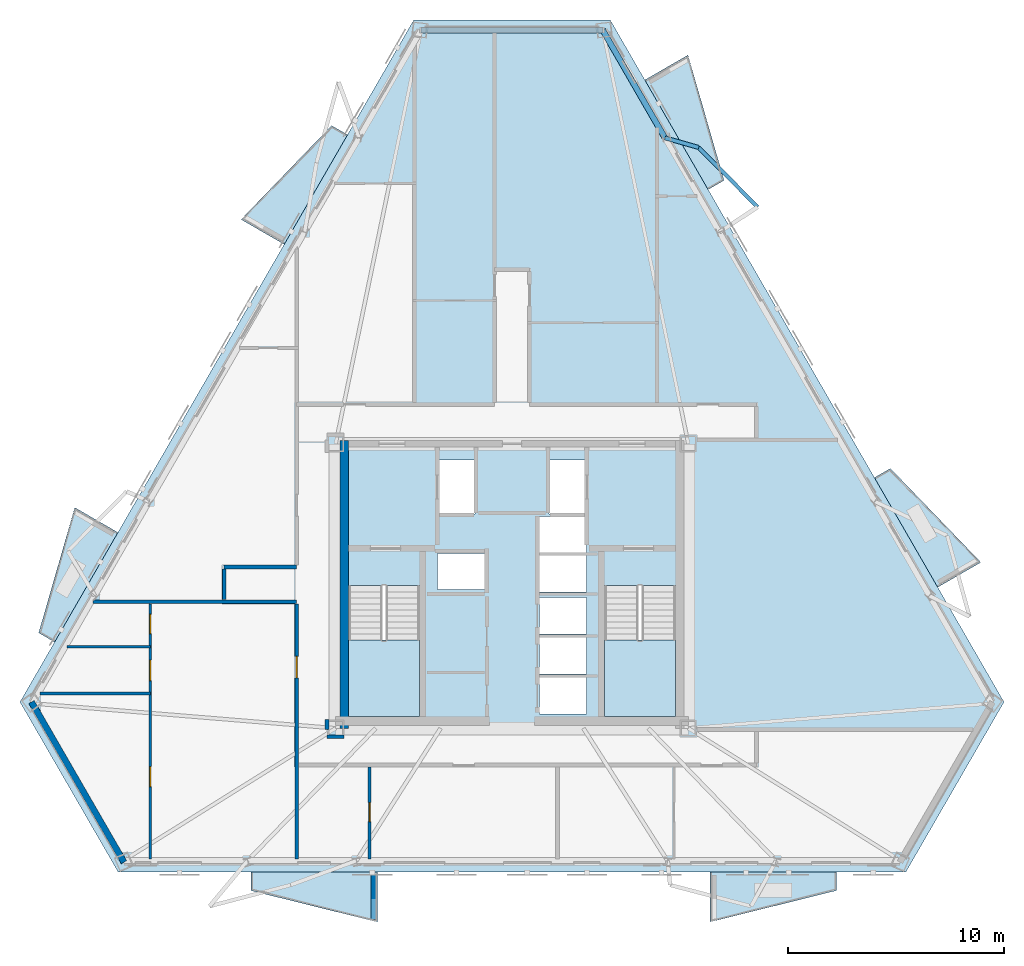
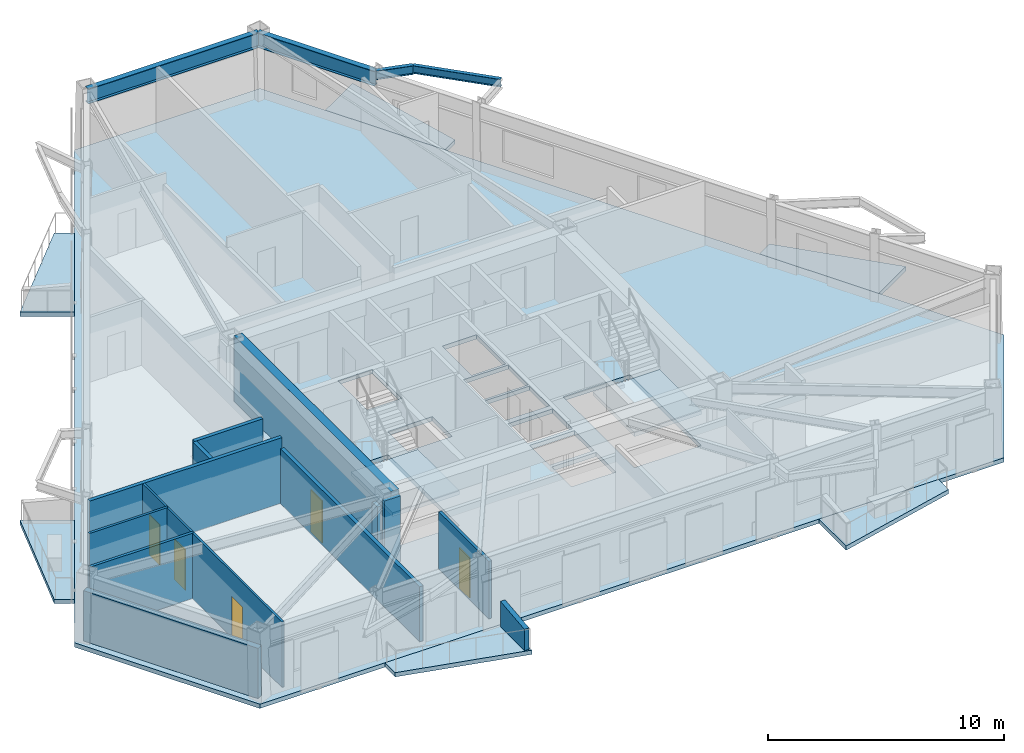
# One storey, part 2 of 8: 13 walls, 9 slabs, 5 doors, 4 beams, 5 openings, 2 elements without a shape of their own.
"""IFC4 building model written with IfcOpenShell, lengths in metres."""

from ifc_helpers import new_model, si_unit, direction, frame, frame_2d, origin, origin_2d, place, context, subcontext, project, spatial, polyline, rectangle, i_section, outline, extrude, material, layer, layer_set, material_profile, profile_set, type_object, element, fill, aggregate, save


model = new_model("IFC4")

# Units and contexts
model_context = context("Model", 3, precision=1e-05, world=origin(), true_north=direction((0.0, 1.0)))
body_context = subcontext(model_context, "Body", "Model", "MODEL_VIEW")
ifc_project = project(units=[si_unit("LENGTHUNIT", "METRE"), si_unit("AREAUNIT", "SQUARE_METRE"), si_unit("VOLUMEUNIT", "CUBIC_METRE"), si_unit("PLANEANGLEUNIT", "RADIAN"), si_unit("MASSUNIT", "GRAM", prefix="KILO")], contexts=[model_context])

# Site, building, storey
site_placement = place(None, origin())
site = spatial("IfcSite", under=ifc_project, at=site_placement, CompositionType="ELEMENT")
building_placement = place(site_placement, origin())
building = spatial("IfcBuilding", under=site, at=building_placement, Name="Oramaril Tower", CompositionType="ELEMENT")
storey_placement = place(building_placement, frame((0.0, 0.0, 171.0)))
storey = spatial("IfcBuildingStorey", under=building, at=storey_placement, Name="L45", CompositionType="ELEMENT", Elevation=171.0)

# Beams
ifc_material_1 = material(Name="Steel ASTM A572 Gr 50", Category="steel")
ifc_material_profile_1 = material_profile(ifc_material_1, i_section(OverallWidth=0.19091796875, OverallDepth=0.45703125, WebThickness=0.009033203125, FlangeThickness=0.014404296875, at=origin_2d()), Name="W18X50")
ifc_profile_set_1 = profile_set([ifc_material_profile_1], Name="Steel ASTM A572 Gr 50")
beam_type_1 = type_object("IfcBeamType", Name="BT-BB1", PredefinedType="BEAM", material=ifc_profile_set_1)
beam_1_placement = place(storey_placement, frame((44.5693359375, 38.287353515625, 3.151611328125), z_axis=(0.961813316256, -0.273706310985, 0.0), x_axis=(0.273706310985, 0.961813316256, 0.0)))
element("IfcBeam", 1, at=beam_1_placement, inside=storey, type_object=beam_type_1, Name="L45 Balcony Column-Framed Cantilever 04.2", PredefinedType="BEAM", context=body_context, shape_type="SweptSolid", body=[
    extrude(i_section(OverallWidth=0.19091796875, OverallDepth=0.45703125, WebThickness=0.009033203125, FlangeThickness=0.014404296875, at=origin_2d()), origin(), (0.0, 0.0, 1.0), 1.620849609375),
])
ifc_material_2 = material(Name="Steel ASTM A572 Gr 50", Category="steel")
ifc_material_profile_2 = material_profile(ifc_material_2, i_section(OverallWidth=0.177978515625, OverallDepth=0.404052734375, WebThickness=0.007568359375, FlangeThickness=0.010986328125, at=origin_2d()), Name="W16X36")
ifc_profile_set_2 = profile_set([ifc_material_profile_2], Name="Steel ASTM A572 Gr 50")
beam_type_2 = type_object("IfcBeamType", Name="BT-SB1", PredefinedType="BEAM", material=ifc_profile_set_2)
beam_2_placement = place(storey_placement, frame((48.848876953125, 35.09130859375, 3.177978515625), z_axis=(-0.702994511648, 0.71119527318, 0.0), x_axis=(-0.71119527318, -0.702994511648, 0.0)))
element("IfcBeam", 2, at=beam_2_placement, inside=storey, type_object=beam_type_2, Name="L45 Balcony Edge Tie Beam 04", PredefinedType="BEAM", context=body_context, shape_type="SweptSolid", body=[
    extrude(i_section(OverallWidth=0.177978515625, OverallDepth=0.404052734375, WebThickness=0.007568359375, FlangeThickness=0.010986328125, at=origin_2d()), origin(), (0.0, 0.0, 1.0), 3.8701171875),
])
ifc_material_3 = material(Name="Steel ASTM A572 Gr 50", Category="steel")
ifc_material_profile_3 = material_profile(ifc_material_3, i_section(OverallWidth=0.26708984375, OverallDepth=0.77001953125, WebThickness=0.015625, FlangeThickness=0.025390625, at=origin_2d()), Name="W30X132")
ifc_profile_set_3 = profile_set([ifc_material_profile_3], Name="Steel ASTM A572 Gr 50")
beam_type_3 = type_object("IfcBeamType", Name="BT-SP3", PredefinedType="SPANDREL", material=ifc_profile_set_3)
beam_3_placement = place(storey_placement, frame((44.5693359375, 38.287353515625, 2.9951171875), z_axis=(-0.499971205421, 0.866042027704, 0.0), x_axis=(-0.866042027704, -0.499971205421, 0.0)))
element("IfcBeam", 3, at=beam_3_placement, inside=storey, type_object=beam_type_3, Name="L45 Perimeter Spandrel 12", PredefinedType="SPANDREL", context=body_context, shape_type="SweptSolid", body=[
    extrude(i_section(OverallWidth=0.26708984375, OverallDepth=0.77001953125, WebThickness=0.015625, FlangeThickness=0.025390625, at=origin_2d()), origin(), (0.0, 0.0, 1.0), 5.748779296875),
])
beam_4_placement = place(storey_placement, frame((41.695068359375, 43.26611328125, 2.9951171875), z_axis=(-1.0, 0.0, 0.0), x_axis=(0.0, -1.0, 0.0)))
element("IfcBeam", 4, at=beam_4_placement, inside=storey, type_object=beam_type_3, Name="L45 Perimeter Spandrel 13", PredefinedType="SPANDREL", context=body_context, shape_type="SweptSolid", body=[
    extrude(i_section(OverallWidth=0.26708984375, OverallDepth=0.77001953125, WebThickness=0.015625, FlangeThickness=0.025390625, at=origin_2d()), origin(), (0.0, 0.0, 1.0), 8.39013671875),
])

# Slabs
ifc_material_4 = material(Name="Concrete C40/50", Category="concrete")
ifc_layer_1 = layer(ifc_material_4, 0.199951171875)
ifc_layer_set_1 = layer_set([ifc_layer_1], Name="SLT-BAL20")
slab_type_1 = type_object("IfcSlabType", Name="SLT-BAL20", PredefinedType="FLOOR", material=ifc_layer_set_1)
slab_1_placement = place(storey_placement, frame((0.0, 0.0, -0.219970703125)))
element("IfcSlab", 5, at=slab_1_placement, inside=storey, type_object=slab_type_1, Name="L45 Cantilevered Balcony Slab L45-BAL-S1", PredefinedType="FLOOR", context=body_context, shape_type="SweptSolid", body=[
    extrude(outline(polyline([(25.42626953125, 4.3525390625), (31.276123046875, 4.3525390625), (31.276123046875, 2.050537109375), (25.42626953125, 3.50048828125), (25.42626953125, 4.3525390625)])), origin(), (0.0, 0.0, 1.0), 0.219970703125),
])
slab_2_placement = place(storey_placement, frame((0.0, 0.0, -0.219970703125)))
element("IfcSlab", 6, at=slab_2_placement, inside=storey, type_object=slab_type_1, Name="L45 Cantilevered Balcony Slab L45-BAL-NE2", PredefinedType="FLOOR", context=body_context, shape_type="SweptSolid", body=[
    extrude(outline(polyline([(46.563232421875, 35.896728515625), (43.63818359375, 40.962890625), (45.6318359375, 42.114013671875), (47.301025390625, 36.32275390625), (46.563232421875, 35.896728515625)])), origin(), (0.0, 0.0, 1.0), 0.219970703125),
])
slab_3_placement = place(storey_placement, frame((0.0, 0.0, -0.219970703125)))
element("IfcSlab", 7, at=slab_3_placement, inside=storey, type_object=slab_type_1, Name="L45 Cantilevered Balcony Slab L45-BAL-NW1", PredefinedType="FLOOR", context=body_context, shape_type="SweptSolid", body=[
    extrude(outline(polyline([(29.899169921875, 38.429931640625), (26.97412109375, 33.363525390625), (24.980712890625, 34.5146484375), (29.161376953125, 38.85595703125), (29.899169921875, 38.429931640625)])), origin(), (0.0, 0.0, 1.0), 0.219970703125),
])
ifc_material_5 = material(Name="Concrete C50/60", Category="concrete")
ifc_layer_2 = layer(ifc_material_5, 0.219970703125)
ifc_layer_set_2 = layer_set([ifc_layer_2], Name="SLT-FLR22")
slab_type_2 = type_object("IfcSlabType", Name="SLT-FLR22", PredefinedType="FLOOR", material=ifc_layer_set_2)
slab_4_placement = place(storey_placement, frame((0.0, 0.0, -0.219970703125)))
element("IfcSlab", 8, at=slab_4_placement, inside=storey, type_object=slab_type_2, Name="L45 Structural Floor Slab", PredefinedType="FLOOR", context=body_context, shape_type="SweptSolid", body=[
    extrude(outline(polyline([(14.76123046875, 12.214111328125), (19.30126953125, 4.3505859375), (55.69873046875, 4.3505859375), (60.23876953125, 12.214111328125), (42.0400390625, 43.7353515625), (32.9599609375, 43.7353515625), (14.76123046875, 12.214111328125)]), holes=[polyline([(29.949951171875, 17.58935546875), (29.949951171875, 11.550048828125), (33.219970703125, 11.550048828125), (33.219970703125, 17.58935546875), (29.949951171875, 17.58935546875)]), polyline([(41.780029296875, 17.58935546875), (41.780029296875, 11.550048828125), (45.050048828125, 11.550048828125), (45.050048828125, 17.58935546875), (41.780029296875, 17.58935546875)]), polyline([(34.110107421875, 20.909912109375), (35.7900390625, 20.909912109375), (35.7900390625, 23.389892578125), (34.110107421875, 23.389892578125), (34.110107421875, 20.909912109375)]), polyline([(39.2099609375, 20.909912109375), (40.889892578125, 20.909912109375), (40.889892578125, 23.389892578125), (39.2099609375, 23.389892578125), (39.2099609375, 20.909912109375)]), polyline([(38.760009765625, 11.659912109375), (40.93994140625, 11.659912109375), (40.93994140625, 13.340087890625), (38.760009765625, 13.340087890625), (38.760009765625, 11.659912109375)]), polyline([(38.760009765625, 13.510009765625), (40.93994140625, 13.510009765625), (40.93994140625, 15.18994140625), (38.760009765625, 15.18994140625), (38.760009765625, 13.510009765625)]), polyline([(38.760009765625, 15.360107421875), (40.93994140625, 15.360107421875), (40.93994140625, 17.0400390625), (38.760009765625, 17.0400390625), (38.760009765625, 15.360107421875)]), polyline([(34.06005859375, 17.409912109375), (36.239990234375, 17.409912109375), (36.239990234375, 19.090087890625), (34.06005859375, 19.090087890625), (34.06005859375, 17.409912109375)]), polyline([(38.760009765625, 17.31005859375), (40.93994140625, 17.31005859375), (40.93994140625, 18.989990234375), (38.760009765625, 18.989990234375), (38.760009765625, 17.31005859375)]), polyline([(38.760009765625, 19.110107421875), (40.93994140625, 19.110107421875), (40.93994140625, 20.7900390625), (38.760009765625, 20.7900390625), (38.760009765625, 19.110107421875)])]), origin(), (0.0, 0.0, 1.0), 0.219970703125),
])

# Stair, slab
ifc_material_6 = material(Name="Concrete C50/60", Category="concrete")
stair_type = type_object("IfcStairType", Name="STT-DG-3600", PredefinedType="HALF_TURN_STAIR", material=ifc_material_6)
stair_1_placement = place(storey_placement, origin())
stair_1 = element("IfcStair", 9, at=stair_1_placement, inside=storey, type_object=stair_type, Name="L45 Protected PFP Exit Stair ST-1", PredefinedType="HALF_TURN_STAIR")
ifc_material_7 = material(Name="Concrete C50/60", Category="concrete")
ifc_layer_3 = layer(ifc_material_7, 0.199951171875)
ifc_layer_set_3 = layer_set([ifc_layer_3], Name="SLT-LND20")
slab_type_3 = type_object("IfcSlabType", Name="SLT-LND20", PredefinedType="LANDING", material=ifc_layer_set_3)
slab_5_placement = place(storey_placement, frame((0.0, 0.0, 1.60009765625)))
slab_5 = element("IfcSlab", 10, at=slab_5_placement, type_object=slab_type_3, Name="ST-1 landing 1", PredefinedType="LANDING", context=body_context, shape_type="SweptSolid", body=[
    extrude(outline(polyline([(29.949951171875, 15.070068359375), (29.949951171875, 11.550048828125), (33.219970703125, 11.550048828125), (33.219970703125, 15.070068359375), (29.949951171875, 15.070068359375)])), origin(), (0.0, 0.0, 1.0), 0.199951171875),
])
aggregate(stair_1, [slab_5])

stair_2_placement = place(storey_placement, origin())
stair_2 = element("IfcStair", 11, at=stair_2_placement, inside=storey, type_object=stair_type, Name="L45 Protected PFP Exit Stair ST-2", PredefinedType="HALF_TURN_STAIR")
slab_6_placement = place(storey_placement, frame((0.0, 0.0, 1.60009765625)))
slab_6 = element("IfcSlab", 12, at=slab_6_placement, type_object=slab_type_3, Name="ST-2 landing 1", PredefinedType="LANDING", context=body_context, shape_type="SweptSolid", body=[
    extrude(outline(polyline([(41.780029296875, 15.070068359375), (41.780029296875, 11.550048828125), (45.050048828125, 11.550048828125), (45.050048828125, 15.070068359375), (41.780029296875, 15.070068359375)])), origin(), (0.0, 0.0, 1.0), 0.199951171875),
])
aggregate(stair_2, [slab_6])

# Slabs
ifc_material_8 = material(Name="Concrete C40/50", Category="concrete")
ifc_layer_4 = layer(ifc_material_8, 0.18994140625)
ifc_layer_set_4 = layer_set([ifc_layer_4], Name="SLT-PLN19")
slab_type_4 = type_object("IfcSlabType", Name="SLT-PLN19", PredefinedType="FLOOR", material=ifc_layer_set_4)
slab_7_placement = place(storey_placement, frame((0.0, 0.0, -0.219970703125)))
element("IfcSlab", 13, at=slab_7_placement, inside=storey, type_object=slab_type_4, Name="L45 Tree Planter Balcony Slab L45-BAL-S2", PredefinedType="FLOOR", context=body_context, shape_type="SweptSolid", body=[
    extrude(outline(polyline([(46.648681640625, 4.3525390625), (52.498779296875, 4.3525390625), (52.498779296875, 3.50048828125), (46.648681640625, 2.050537109375), (46.648681640625, 4.3525390625)])), origin(), (0.0, 0.0, 1.0), 0.219970703125),
])
slab_8_placement = place(storey_placement, frame((0.0, 0.0, -0.219970703125)))
element("IfcSlab", 14, at=slab_8_placement, inside=storey, type_object=slab_type_4, Name="L45 Tree Planter Balcony Slab L45-BAL-NE1", PredefinedType="FLOOR", context=body_context, shape_type="SweptSolid", body=[
    extrude(outline(polyline([(57.174560546875, 17.517578125), (54.24951171875, 22.583740234375), (54.9873046875, 23.009765625), (59.168212890625, 18.66845703125), (57.174560546875, 17.517578125)])), origin(), (0.0, 0.0, 1.0), 0.219970703125),
])
slab_9_placement = place(storey_placement, frame((0.0, 0.0, -0.219970703125)))
element("IfcSlab", 15, at=slab_9_placement, inside=storey, type_object=slab_type_4, Name="L45 Tree Planter Balcony Slab L45-BAL-NW2", PredefinedType="FLOOR", context=body_context, shape_type="SweptSolid", body=[
    extrude(outline(polyline([(19.287841796875, 20.050537109375), (16.36279296875, 14.984375), (15.625, 15.410400390625), (17.294189453125, 21.20166015625), (19.287841796875, 20.050537109375)])), origin(), (0.0, 0.0, 1.0), 0.219970703125),
])

# Walls
ifc_material_9 = material(Name="Warm Cream Limestone", Category="masonry")
ifc_layer_5 = layer(ifc_material_9, 0.2900390625)
ifc_layer_set_5 = layer_set([ifc_layer_5], Name="WT-EXT29")
wall_type_1 = type_object("IfcWallType", Name="WT-EXT29", PredefinedType="SOLIDWALL", material=ifc_layer_set_5)
wall_1_placement = place(storey_placement, frame((15.29248046875, 12.214111328125, 0.0), z_axis=(0.0, 0.0, 1.0), x_axis=(0.499996853316, -0.866027220516, 0.0)))
element("IfcWall", 16, at=wall_1_placement, inside=storey, type_object=wall_type_1, Name="L45 Tower Limestone Facade Wall 1M", PredefinedType="SOLIDWALL", context=body_context, shape_type="SweptSolid", body=[
    extrude(rectangle(XDim=8.548828125, YDim=0.2900390625, at=frame_2d((4.2744140625, 0.0))), origin(), (0.0, 0.0, 1.0), 2.60009765625),
])
ifc_material_10 = material(Name="Concrete C40/50", Category="concrete")
ifc_layer_6 = layer(ifc_material_10, 0.22998046875)
ifc_layer_set_6 = layer_set([ifc_layer_6], Name="WT-PRP23")
wall_type_2 = type_object("IfcWallType", Name="WT-PRP23", PredefinedType="PARAPET", material=ifc_layer_set_6)
wall_2_placement = place(storey_placement, frame((31.09619140625, 4.212646484375, 0.0), z_axis=(0.0, 0.0, 1.0), x_axis=(0.0, -1.0, 0.0)))
element("IfcWall", 17, at=wall_2_placement, inside=storey, type_object=wall_type_2, Name="L45 Trapezoidal Balcony Frame Cheek L45-BAL-S1-R", PredefinedType="PARAPET", context=body_context, shape_type="SweptSolid", body=[
    extrude(outline(polyline([(0.0, 0.0), (2.0419921875, 0.0), (2.0419921875, 1.10009765625), (0.0, 1.320068359375), (0.0, 0.0)])), frame((0.0, 0.114990234375, 0.0), z_axis=(0.0, -1.0, 0.0), x_axis=(1.0, 0.0, 0.0)), (0.0, 0.0, 1.0), 0.22998046875),
])

# Wall, openings, doors
ifc_material_11 = material(Name="Acoustic Gypsum Board Partition")
ifc_layer_7 = layer(ifc_material_11, 0.10009765625)
ifc_layer_set_7 = layer_set([ifc_layer_7], Name="WT-PT10")
wall_type_3 = type_object("IfcWallType", Name="WT-PT10", PredefinedType="PARTITIONING", material=ifc_layer_set_7)
wall_3_placement = place(storey_placement, frame((20.780029296875, 4.959716796875, 0.0), z_axis=(0.0, 0.0, 1.0), x_axis=(0.0, 1.0, 0.0)))
wall_3 = element("IfcWall", 18, at=wall_3_placement, inside=storey, type_object=wall_type_3, Name="L45 Interior Partition PT-10", PredefinedType="PARTITIONING", context=body_context, shape_type="SweptSolid", body=[
    extrude(rectangle(XDim=11.79638671875, YDim=0.10009765625, at=frame_2d((5.898193359375, 0.0))), origin(), (0.0, 0.0, 1.0), 3.3798828125),
])
opening_1_placement = place(wall_3_placement, frame((3.344482421875, 0.0, 0.0)))
opening_1 = element("IfcOpeningElement", 19, at=opening_1_placement, cuts=wall_3, Name="Opening D-L45-10", PredefinedType="OPENING", context=body_context, shape_type="SweptSolid", body=[
    extrude(rectangle(XDim=0.919921875, YDim=2.1201171875, at=frame_2d((0.4599609375, 1.06005859375))), frame((0.0, 0.050048828125, 0.0), z_axis=(0.0, -1.0, 0.0), x_axis=(1.0, 0.0, 0.0)), (0.0, 0.0, 1.0), 0.10009765625),
])
opening_2_placement = place(wall_3_placement, frame((8.244140625, 0.0, 0.0)))
opening_2 = element("IfcOpeningElement", 20, at=opening_2_placement, cuts=wall_3, Name="Opening D-L45-11", PredefinedType="OPENING", context=body_context, shape_type="SweptSolid", body=[
    extrude(rectangle(XDim=0.949951171875, YDim=2.10009765625, at=frame_2d((0.47509765625, 1.050048828125))), frame((0.0, 0.050048828125, 0.0), z_axis=(0.0, -1.0, 0.0), x_axis=(1.0, 0.0, 0.0)), (0.0, 0.0, 1.0), 0.10009765625),
])
opening_3_placement = place(wall_3_placement, frame((10.42041015625, 0.0, 0.0)))
opening_3 = element("IfcOpeningElement", 21, at=opening_3_placement, cuts=wall_3, Name="Opening D-L45-12", PredefinedType="OPENING", context=body_context, shape_type="SweptSolid", body=[
    extrude(rectangle(XDim=0.8798828125, YDim=2.080078125, at=frame_2d((0.43994140625, 1.0400390625))), frame((0.0, 0.050048828125, 0.0), z_axis=(0.0, -1.0, 0.0), x_axis=(1.0, 0.0, 0.0)), (0.0, 0.0, 1.0), 0.10009765625),
])
ifc_material_12 = material(Name="FSC Brazilian Freijo Hardwood", Category="wood")
door_type_1 = type_object("IfcDoorType", Name="DT-BATH", OperationType="NOTDEFINED", PredefinedType="DOOR", material=ifc_material_12)
door_1_placement = place(opening_3_placement, origin())
door_1 = element("IfcDoor", 22, at=door_1_placement, inside=storey, type_object=door_type_1, Name="L45 Flat L45-U3 Bathroom Door D-L45-12", OperationType="SINGLE_SWING_LEFT", OverallHeight=2.080078125, OverallWidth=0.8798828125, PredefinedType="DOOR", context=body_context, shape_type="SweptSolid", body=[
    extrude(rectangle(XDim=0.8798828125, YDim=2.080078125, at=frame_2d((0.43994140625, 1.0400390625))), frame((0.0, 0.02490234375, 0.0), z_axis=(0.0, -1.0, 0.0), x_axis=(1.0, 0.0, 0.0)), (0.0, 0.0, 1.0), 0.050048828125),
])
fill(opening_3, door_1)
ifc_material_13 = material(Name="FSC Brazilian Freijo Hardwood", Category="wood")
door_type_2 = type_object("IfcDoorType", Name="DT-BED", OperationType="NOTDEFINED", PredefinedType="DOOR", material=ifc_material_13)
door_2_placement = place(opening_1_placement, origin())
door_2 = element("IfcDoor", 23, at=door_2_placement, inside=storey, type_object=door_type_2, Name="L45 Flat L45-U3 Master Bedroom Door D-L45-10", OperationType="SINGLE_SWING_LEFT", OverallHeight=2.1201171875, OverallWidth=0.919921875, PredefinedType="DOOR", context=body_context, shape_type="SweptSolid", body=[
    extrude(rectangle(XDim=0.919921875, YDim=2.1201171875, at=frame_2d((0.4599609375, 1.06005859375))), frame((0.0, 0.02490234375, 0.0), z_axis=(0.0, -1.0, 0.0), x_axis=(1.0, 0.0, 0.0)), (0.0, 0.0, 1.0), 0.050048828125),
])
fill(opening_1, door_2)
ifc_material_14 = material(Name="FSC Brazilian Freijo Hardwood", Category="wood")
door_type_3 = type_object("IfcDoorType", Name="DT-STDY", OperationType="NOTDEFINED", PredefinedType="DOOR", material=ifc_material_14)
door_3_placement = place(opening_2_placement, origin())
door_3 = element("IfcDoor", 24, at=door_3_placement, inside=storey, type_object=door_type_3, Name="L45 Flat L45-U3 Kitchen Door D-L45-11", OperationType="SINGLE_SWING_RIGHT", OverallHeight=2.10009765625, OverallWidth=0.949951171875, PredefinedType="DOOR", context=body_context, shape_type="SweptSolid", body=[
    extrude(rectangle(XDim=0.949951171875, YDim=2.10009765625, at=frame_2d((0.47509765625, 1.050048828125))), frame((0.0, 0.02490234375, 0.0), z_axis=(0.0, -1.0, 0.0), x_axis=(1.0, 0.0, 0.0)), (0.0, 0.0, 1.0), 0.050048828125),
])
fill(opening_2, door_3)

# Walls
ifc_material_15 = material(Name="Acoustic Gypsum Board Partition")
ifc_layer_8 = layer(ifc_material_15, 0.1201171875)
ifc_layer_set_8 = layer_set([ifc_layer_8], Name="WT-PT12")
wall_type_4 = type_object("IfcWallType", Name="WT-PT12", PredefinedType="PARTITIONING", material=ifc_layer_set_8)
wall_4_placement = place(storey_placement, frame((16.934326171875, 14.760009765625, 0.0), z_axis=(0.0, 0.0, 1.0), x_axis=(1.0, 0.0, 0.0)))
element("IfcWall", 25, at=wall_4_placement, inside=storey, type_object=wall_type_4, Name="L45 Interior Partition PT-12", PredefinedType="PARTITIONING", context=body_context, shape_type="SweptSolid", body=[
    extrude(rectangle(XDim=3.848388671875, YDim=0.1201171875, at=frame_2d((1.92431640625, 0.0))), origin(), (0.0, 0.0, 1.0), 3.3798828125),
])
ifc_material_16 = material(Name="Acoustic Gypsum Board Partition")
ifc_layer_9 = layer(ifc_material_16, 0.139892578125)
ifc_layer_set_9 = layer_set([ifc_layer_9], Name="WT-PT14")
wall_type_5 = type_object("IfcWallType", Name="WT-PT14", PredefinedType="PARTITIONING", material=ifc_layer_set_9)
wall_5_placement = place(storey_placement, frame((15.687255859375, 12.60009765625, 0.0), z_axis=(0.0, 0.0, 1.0), x_axis=(1.0, 0.0, 0.0)))
element("IfcWall", 26, at=wall_5_placement, inside=storey, type_object=wall_type_5, Name="L45 Interior Partition PT-14", PredefinedType="PARTITIONING", context=body_context, shape_type="SweptSolid", body=[
    extrude(rectangle(XDim=5.095458984375, YDim=0.139892578125, at=frame_2d((2.5478515625, 0.0))), origin(), (0.0, 0.0, 1.0), 3.3798828125),
])

# Wall, opening, door
wall_6_placement = place(storey_placement, frame((30.919921875, 4.959716796875, 0.0), z_axis=(0.0, 0.0, 1.0), x_axis=(0.0, 1.0, 0.0)))
wall_6 = element("IfcWall", 27, at=wall_6_placement, inside=storey, type_object=wall_type_5, Name="L45 Interior Partition PT-14", PredefinedType="PARTITIONING", context=body_context, shape_type="SweptSolid", body=[
    extrude(rectangle(XDim=4.246337890625, YDim=0.139892578125, at=frame_2d((2.123046875, 0.0))), origin(), (0.0, 0.0, 1.0), 2.966064453125),
])
opening_4_placement = place(wall_6_placement, frame((1.730712890625, 0.0, 0.0)))
opening_4 = element("IfcOpeningElement", 28, at=opening_4_placement, cuts=wall_6, Name="Opening D-L45-15", PredefinedType="OPENING", context=body_context, shape_type="SweptSolid", body=[
    extrude(rectangle(XDim=0.8798828125, YDim=2.080078125, at=frame_2d((0.43994140625, 1.0400390625))), frame((0.0, 0.06982421875, 0.0), z_axis=(0.0, -1.0, 0.0), x_axis=(1.0, 0.0, 0.0)), (0.0, 0.0, 1.0), 0.139892578125),
])
door_4_placement = place(opening_4_placement, origin())
door_4 = element("IfcDoor", 29, at=door_4_placement, inside=storey, type_object=door_type_1, Name="L45 Flat L45-U1 Bathroom Door D-L45-15", OperationType="SINGLE_SWING_RIGHT", OverallHeight=2.080078125, OverallWidth=0.8798828125, PredefinedType="DOOR", context=body_context, shape_type="SweptSolid", body=[
    extrude(rectangle(XDim=0.8798828125, YDim=2.080078125, at=frame_2d((0.43994140625, 1.0400390625))), frame((0.0, 0.02490234375, 0.0), z_axis=(0.0, -1.0, 0.0), x_axis=(1.0, 0.0, 0.0)), (0.0, 0.0, 1.0), 0.050048828125),
])
fill(opening_4, door_4)

# Walls
ifc_material_17 = material(Name="Autoclaved Cellular Concrete Block", Category="concrete")
ifc_layer_10 = layer(ifc_material_17, 0.179931640625)
ifc_layer_set_10 = layer_set([ifc_layer_10], Name="WT-PT18")
wall_type_6 = type_object("IfcWallType", Name="WT-PT18", PredefinedType="PARTITIONING", material=ifc_layer_set_10)
wall_7_placement = place(storey_placement, frame((28.9599609375, 10.610107421875, 0.0), z_axis=(0.0, 0.0, 1.0), x_axis=(1.0, 0.0, 0.0)))
element("IfcWall", 30, at=wall_7_placement, inside=storey, type_object=wall_type_6, Name="L45 Interior Partition PT-18", PredefinedType="PARTITIONING", context=body_context, shape_type="SweptSolid", body=[
    extrude(rectangle(XDim=0.780029296875, YDim=0.179931640625, at=frame_2d((0.39013671875, 0.0))), origin(), (0.0, 0.0, 1.0), 3.3798828125),
])
wall_8_placement = place(storey_placement, frame((18.14111328125, 16.85009765625, 0.0), z_axis=(0.0, 0.0, 1.0), x_axis=(1.0, 0.0, 0.0)))
element("IfcWall", 31, at=wall_8_placement, inside=storey, type_object=wall_type_6, Name="L45 Interior Partition PT-18", PredefinedType="PARTITIONING", context=body_context, shape_type="SweptSolid", body=[
    extrude(rectangle(XDim=9.408935546875, YDim=0.179931640625, at=frame_2d((4.70458984375, 0.0))), origin(), (0.0, 0.0, 1.0), 3.3798828125),
])
wall_9_placement = place(storey_placement, frame((24.199951171875, 18.449951171875, 0.0), z_axis=(0.0, 0.0, 1.0), x_axis=(1.0, 0.0, 0.0)))
element("IfcWall", 32, at=wall_9_placement, inside=storey, type_object=wall_type_6, Name="L45 Interior Partition PT-18", PredefinedType="PARTITIONING", context=body_context, shape_type="SweptSolid", body=[
    extrude(rectangle(XDim=3.35009765625, YDim=0.179931640625, at=frame_2d((1.675048828125, 0.0))), origin(), (0.0, 0.0, 1.0), 3.3798828125),
])
wall_10_placement = place(storey_placement, frame((24.199951171875, 16.944091796875, 0.0), z_axis=(0.0, 0.0, 1.0), x_axis=(0.0, 1.0, 0.0)))
element("IfcWall", 33, at=wall_10_placement, inside=storey, type_object=wall_type_6, Name="L45 Interior Partition PT-18", PredefinedType="PARTITIONING", context=body_context, shape_type="SweptSolid", body=[
    extrude(rectangle(XDim=1.411865234375, YDim=0.179931640625, at=frame_2d((0.7060546875, 0.0))), origin(), (0.0, 0.0, 1.0), 3.3798828125),
])

# Wall, opening, door
wall_11_placement = place(storey_placement, frame((27.550048828125, 4.959716796875, 0.0), z_axis=(0.0, 0.0, 1.0), x_axis=(0.0, 1.0, 0.0)))
wall_11 = element("IfcWall", 34, at=wall_11_placement, inside=storey, type_object=wall_type_6, Name="L45 Interior Partition PT-18", PredefinedType="PARTITIONING", context=body_context, shape_type="SweptSolid", body=[
    extrude(rectangle(XDim=11.79638671875, YDim=0.179931640625, at=frame_2d((5.898193359375, 0.0))), origin(), (0.0, 0.0, 1.0), 2.842041015625),
])
opening_5_placement = place(wall_11_placement, frame((8.365966796875, 0.0, 0.0)))
opening_5 = element("IfcOpeningElement", 35, at=opening_5_placement, cuts=wall_11, Name="Opening D-L45-13", PredefinedType="OPENING", context=body_context, shape_type="SweptSolid", body=[
    extrude(rectangle(XDim=1.0, YDim=2.179931640625, at=frame_2d((0.5, 1.08984375))), frame((0.0, 0.08984375, 0.0), z_axis=(0.0, -1.0, 0.0), x_axis=(1.0, 0.0, 0.0)), (0.0, 0.0, 1.0), 0.179931640625),
])
ifc_material_18 = material(Name="FSC Brazilian Freijo Hardwood", Category="wood")
door_type_4 = type_object("IfcDoorType", Name="DT-APT", OperationType="NOTDEFINED", PredefinedType="DOOR", material=ifc_material_18)
door_5_placement = place(opening_5_placement, origin())
door_5 = element("IfcDoor", 36, at=door_5_placement, inside=storey, type_object=door_type_4, Name="L45 Flat L45-U3 Penthouse Living and Dining Room Door D-L45-13", OperationType="SINGLE_SWING_RIGHT", OverallHeight=2.179931640625, OverallWidth=1.0, PredefinedType="DOOR", context=body_context, shape_type="SweptSolid", body=[
    extrude(rectangle(XDim=1.0, YDim=2.179931640625, at=frame_2d((0.5, 1.08984375))), frame((0.0, 0.02490234375, 0.0), z_axis=(0.0, -1.0, 0.0), x_axis=(1.0, 0.0, 0.0)), (0.0, 0.0, 1.0), 0.050048828125),
])
fill(opening_5, door_5)

# Walls
wall_12_placement = place(storey_placement, frame((28.949951171875, 10.949951171875, 0.0), z_axis=(0.0, 0.0, 1.0), x_axis=(0.0, 1.0, 0.0)))
element("IfcWall", 37, at=wall_12_placement, inside=storey, type_object=wall_type_6, Name="L45 Interior Partition PT-18", PredefinedType="PARTITIONING", context=body_context, shape_type="SweptSolid", body=[
    extrude(rectangle(XDim=0.445068359375, YDim=0.179931640625, at=frame_2d((0.22265625, 0.0))), origin(), (0.0, 0.0, 1.0), 2.842041015625),
])
ifc_material_19 = material(Name="Concrete C50/60", Category="concrete")
ifc_layer_11 = layer(ifc_material_19, 0.39990234375)
ifc_layer_set_11 = layer_set([ifc_layer_11], Name="WT-SH40")
wall_type_7 = type_object("IfcWallType", Name="WT-SH40", PredefinedType="SHEAR", material=ifc_layer_set_11)
wall_13_placement = place(storey_placement, frame((29.739990234375, 11.0, 0.0), z_axis=(0.0, 0.0, 1.0), x_axis=(0.0, 1.0, 0.0)))
element("IfcWall", 38, at=wall_13_placement, inside=storey, type_object=wall_type_7, Name="L45 Core Shear Wall CW-W", PredefinedType="SHEAR", context=body_context, shape_type="SweptSolid", body=[
    extrude(rectangle(XDim=13.300048828125, YDim=0.39990234375, at=frame_2d((6.64990234375, 0.0))), origin(), (0.0, 0.0, 1.0), 3.3798828125),
])

save(model, "model.ifc")
